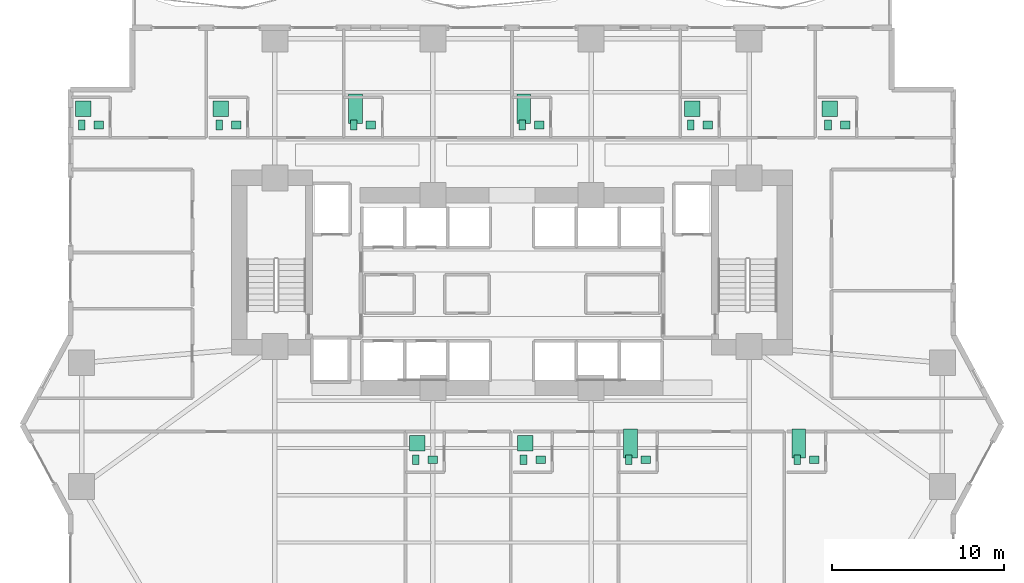
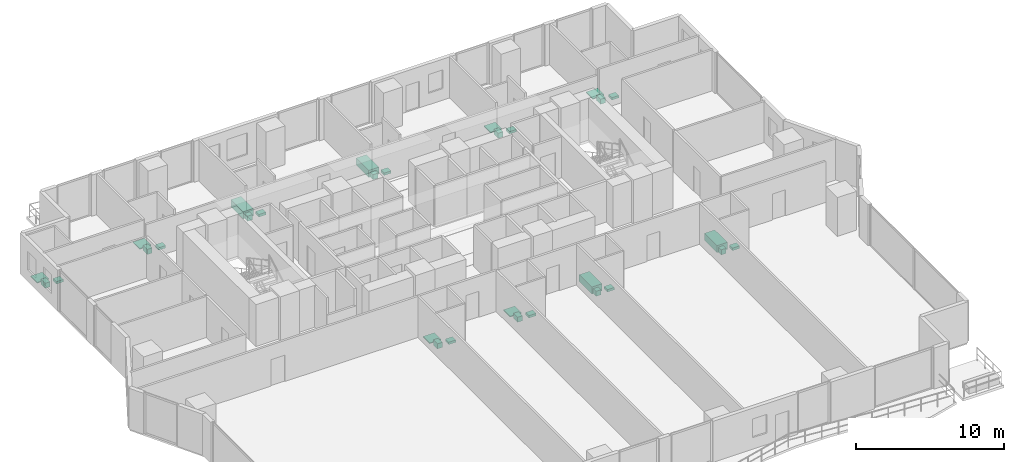
# One storey, part 30 of 30: 30 sanitary terminals.
"""IFC4 building model written with IfcOpenShell, lengths in metres."""

import ifcopenshell
import ifcopenshell.guid

model = None  # the IFC model being written
_history = None  # IfcOwnerHistory: only IFC2X3 demands one
_inside = {}  # id of a spatial element -> (the spatial element, [elements in it])
_under = {}  # id of a project, library or spatial element -> (it, [spatial elements below it])
_declared = {}  # id of a project -> (the project, [libraries it declares])
_typed = {}  # id of a type object -> (the type object, [elements of that type])
_made_of = {}  # id of a material, layer set ... -> (it, [elements and type objects made of it])


def new_model(schema):
    """Start an empty IFC model of exactly this schema.

    Asked for "IFC4X3", IfcOpenShell would pick the latest addendum, in which some entities
    have other attributes; the version numbers below select the first issue.
    IFC2X3 requires an IfcOwnerHistory on every rooted entity: one is made here for all.
    """
    global model, _history
    if schema == "IFC4X3":
        model = ifcopenshell.file(schema_version=(4, 3, 0, 0))
    else:
        model = ifcopenshell.file(schema=schema)
    _inside.clear()
    _under.clear()
    _declared.clear()
    _typed.clear()
    _made_of.clear()
    _history = None
    if model.schema == "IFC2X3":
        org = make("IfcOrganization", Name="unknown")
        user = make(
            "IfcPersonAndOrganization",
            ThePerson=make("IfcPerson", FamilyName="unknown"),
            TheOrganization=org,
        )
        app = make(
            "IfcApplication",
            ApplicationDeveloper=org,
            Version="unknown",
            ApplicationFullName="unknown",
            ApplicationIdentifier="unknown",
        )
        _history = make(
            "IfcOwnerHistory",
            OwningUser=user,
            OwningApplication=app,
            ChangeAction="ADDED",
            CreationDate=0,
        )
    return model


def make(cls, **values):
    """One entity of the class cls with the attributes given. An attribute that is None is left unset."""
    return model.create_entity(
        cls, **{name: value for name, value in values.items() if value is not None}
    )


def rooted(cls, **values):
    """An entity with a GlobalId (a new one), such as an element, a storey or a relation."""
    return make(cls, GlobalId=ifcopenshell.guid.new(), OwnerHistory=_history, **values)


def si_unit(unit_type, name, prefix=None):
    """IfcSIUnit, for example si_unit("LENGTHUNIT", "METRE", prefix="MILLI")."""
    return make("IfcSIUnit", UnitType=unit_type, Prefix=prefix, Name=name)


def assignment(units):
    """IfcUnitAssignment: the units of a project."""
    return None if units is None else make("IfcUnitAssignment", Units=units)


def point(xyz):
    """IfcCartesianPoint."""
    return None if xyz is None else make("IfcCartesianPoint", Coordinates=xyz)


def direction(xyz):
    """IfcDirection."""
    return None if xyz is None else make("IfcDirection", DirectionRatios=xyz)


def frame(location, z_axis=None, x_axis=None):
    """IfcAxis2Placement3D, a coordinate frame: its origin and axes. An axis left out is left unset."""
    return make(
        "IfcAxis2Placement3D",
        Location=point(location),
        Axis=direction(z_axis),
        RefDirection=direction(x_axis),
    )


def frame_2d(location, x_axis=None):
    """IfcAxis2Placement2D, a coordinate frame in the plane: its origin and x axis."""
    return make(
        "IfcAxis2Placement2D", Location=point(location), RefDirection=direction(x_axis)
    )


def origin():
    """The frame at (0, 0, 0) with its axes left unset."""
    return frame((0.0, 0.0, 0.0))


def origin_2d():
    """The frame at (0, 0) in the plane with its x axis left unset."""
    return frame_2d((0.0, 0.0))


def place(relative_to, where):
    """IfcLocalPlacement: puts the frame where relative to a parent placement (None: the world)."""
    return make(
        "IfcLocalPlacement", PlacementRelTo=relative_to, RelativePlacement=where
    )


def context(
    kind, dimensions, precision=None, world=None, true_north=None, identifier=None
):
    """IfcGeometricRepresentationContext, for example the 3D "Model" context."""
    return make(
        "IfcGeometricRepresentationContext",
        ContextIdentifier=identifier,
        ContextType=kind,
        CoordinateSpaceDimension=dimensions,
        Precision=precision,
        WorldCoordinateSystem=world,
        TrueNorth=true_north,
    )


def subcontext(parent, identifier, kind, view, scale=None):
    """IfcGeometricRepresentationSubContext, for example "Body" below "Model"."""
    return make(
        "IfcGeometricRepresentationSubContext",
        ContextIdentifier=identifier,
        ContextType=kind,
        ParentContext=parent,
        TargetScale=scale,
        TargetView=view,
    )


def project(units=None, contexts=None):
    """IfcProject with its units and contexts."""
    return rooted(
        "IfcProject",
        Name="project",
        RepresentationContexts=contexts,
        UnitsInContext=assignment(units),
    )


def spatial(cls, under=None, at=None, **own):
    """A site, building, storey or space (cls), placed at a placement, below another one or the project."""
    s = rooted(cls, ObjectPlacement=at, **own)
    if under is not None:
        _under.setdefault(under.id(), (under, []))[1].append(s)
    return s


def profile(cls, at=None, kind="AREA", **sizes):
    """A parametric profile (cls). Its sizes go by their IFC names, for example OverallWidth=200.0."""
    return make(cls, ProfileType=kind, Position=at, **sizes)


def rectangle(**sizes):
    """IfcRectangleProfileDef."""
    return profile("IfcRectangleProfileDef", **sizes)


def extrude(swept, where, along, depth):
    """IfcExtrudedAreaSolid: the profile swept, set in the frame where, extruded along a direction by depth."""
    return make(
        "IfcExtrudedAreaSolid",
        SweptArea=swept,
        Position=where,
        ExtrudedDirection=direction(along),
        Depth=depth,
    )


def shape(context_of_items, identifier, shape_type, items):
    """IfcShapeRepresentation: the items that make up one representation, for example the "Body"."""
    return make(
        "IfcShapeRepresentation",
        ContextOfItems=context_of_items,
        RepresentationIdentifier=identifier,
        RepresentationType=shape_type,
        Items=items,
    )


def material(Name=None, Category=None):
    """IfcMaterial."""
    return make("IfcMaterial", Name=Name, Category=Category)


def made_of(thing, what):
    """Note that an element or type object is made of a material, layer set ...; save() writes the relation."""
    if what is not None:
        _made_of.setdefault(what.id(), (what, []))[1].append(thing)
    return thing


def type_object(cls, material=None, **own):
    """A type object (cls), such as IfcWallType, which elements share."""
    return made_of(rooted(cls, **own), material)


def element(
    cls,
    number,
    at=None,
    inside=None,
    cuts=None,
    type_object=None,
    material=None,
    context=None,
    identifier="Body",
    shape_type=None,
    held_by="IfcProductDefinitionShape",
    body=None,
    shapes=None,
    **own,
):
    """One element of the class cls, such as IfcWall. Its Tag is "e" and its number.

    at: its placement. inside: the storey or other place that contains it. cuts: it is an
    opening in that element (IfcRelVoidsElement). A single representation is given by context,
    identifier, shape_type and body (its items); several are given by shapes. held_by: the class
    of the entity that holds the representations. save() writes the other relations.
    """
    e = rooted(cls, Tag="e%d" % number, ObjectPlacement=at, **own)
    if body is not None:
        shapes = [shape(context, identifier, shape_type, body)]
    if shapes is not None:
        e.Representation = make(held_by, Representations=shapes)
    if inside is not None:
        _inside.setdefault(inside.id(), (inside, []))[1].append(e)
    if cuts is not None:
        rooted(
            "IfcRelVoidsElement", RelatingBuildingElement=cuts, RelatedOpeningElement=e
        )
    if type_object is not None:
        _typed.setdefault(type_object.id(), (type_object, []))[1].append(e)
    return made_of(e, material)


def aggregate(whole, parts):
    """IfcRelAggregates: a whole, such as a stair, and the parts it consists of."""
    return rooted("IfcRelAggregates", RelatingObject=whole, RelatedObjects=parts)


def save(model, path):
    """Write the relations noted so far, then the file.

    IfcRelAggregates (storeys below a building ...), IfcRelContainedInSpatialStructure (elements
    in a storey), IfcRelDefinesByType, IfcRelAssociatesMaterial and IfcRelDeclares: one each for
    every whole, place, type object, material and project.
    """
    for whole, parts in _under.values():
        aggregate(whole, parts)
    for where, things in _inside.values():
        rooted(
            "IfcRelContainedInSpatialStructure",
            RelatedElements=things,
            RelatingStructure=where,
        )
    for kind, things in _typed.values():
        rooted("IfcRelDefinesByType", RelatedObjects=things, RelatingType=kind)
    for what, things in _made_of.values():
        rooted("IfcRelAssociatesMaterial", RelatedObjects=things, RelatingMaterial=what)
    for by, libraries in _declared.values():
        rooted("IfcRelDeclares", RelatingContext=by, RelatedDefinitions=libraries)
    model.write(path)


model = new_model("IFC4")

# Units and contexts
model_context = context("Model", 3, precision=1e-05, world=origin(), true_north=direction((0.0, 1.0)))
body_context = subcontext(model_context, "Body", "Model", "MODEL_VIEW")
ifc_project = project(units=[si_unit("LENGTHUNIT", "METRE"), si_unit("AREAUNIT", "SQUARE_METRE"), si_unit("VOLUMEUNIT", "CUBIC_METRE"), si_unit("PLANEANGLEUNIT", "RADIAN"), si_unit("MASSUNIT", "GRAM", prefix="KILO")], contexts=[model_context])

# Site, building, storey
site_placement = place(None, origin())
site = spatial("IfcSite", under=ifc_project, at=site_placement, CompositionType="ELEMENT")
building_placement = place(site_placement, origin())
building = spatial("IfcBuilding", under=site, at=building_placement, Name="Zuhayl Quay Hotel", CompositionType="ELEMENT")
storey_placement = place(building_placement, frame((0.0, 0.0, 86.0)))
storey = spatial("IfcBuildingStorey", under=building, at=storey_placement, Name="L21", CompositionType="ELEMENT", Elevation=86.0)

# Sanitary terminals
ifc_material = material(Name="Vitreous Porcelain Sanitaryware")
sanitary_terminal_type_1 = type_object("IfcSanitaryTerminalType", Name="SAN_BASIN", PredefinedType="WASHHANDBASIN", material=ifc_material)
for number, where, z_axis, x_axis, name in (
    (1, (-24.050048828125, 17.43994140625, 0.0), (0.0, 0.0, 1.0), (1.0, 0.0, 0.0), "L21 Sanitary Fixture WASHHANDBASIN"),
    (2, (-16.050048828125, 17.43994140625, 0.0), (0.0, 0.0, 1.0), (1.0, 0.0, 0.0), "L21 Sanitary Fixture WASHHANDBASIN"),
    (3, (-8.2099609375, 17.43994140625, 0.0), (0.0, 0.0, 1.0), (1.0, 0.0, 0.0), "L21 Sanitary Fixture WASHHANDBASIN"),
    (4, (1.590087890625, 17.43994140625, 0.0), (0.0, 0.0, 1.0), (1.0, 0.0, 0.0), "L21 Sanitary Fixture WASHHANDBASIN"),
    (5, (11.389892578125, 17.43994140625, 0.0), (0.0, 0.0, 1.0), (1.0, 0.0, 0.0), "L21 Sanitary Fixture WASHHANDBASIN"),
    (6, (19.389892578125, 17.43994140625, 0.0), (0.0, 0.0, 1.0), (1.0, 0.0, 0.0), "L21 Sanitary Fixture WASHHANDBASIN"),
    (7, (-4.610107421875, -2.0400390625, 0.0), (0.0, 0.0, 1.0), (1.0, 0.0, 0.0), "L21 Sanitary Fixture WASHHANDBASIN"),
    (8, (1.669921875, -2.0400390625, 0.0), (0.0, 0.0, 1.0), (1.0, 0.0, 0.0), "L21 Sanitary Fixture WASHHANDBASIN"),
    (9, (7.7900390625, -2.0400390625, 0.0), (0.0, 0.0, 1.0), (1.0, 0.0, 0.0), "L21 Sanitary Fixture WASHHANDBASIN"),
    (10, (17.590087890625, -2.0400390625, 0.0), (0.0, 0.0, 1.0), (1.0, 0.0, 0.0), "L21 Sanitary Fixture WASHHANDBASIN"),
):
    element("IfcSanitaryTerminal", number, at=place(storey_placement, frame(where, z_axis=z_axis, x_axis=x_axis)), inside=storey, type_object=sanitary_terminal_type_1, Name=name, PredefinedType="WASHHANDBASIN", context=body_context, shape_type="SweptSolid", body=[
        extrude(rectangle(XDim=0.550048828125, YDim=0.449951171875, at=origin_2d()), origin(), (0.0, 0.0, 1.0), 0.199951171875),
    ])
sanitary_terminal_type_2 = type_object("IfcSanitaryTerminalType", Name="SAN_BATH", PredefinedType="BATH", material=ifc_material)
for number, where, z_axis, x_axis, name in (
    (11, (-9.110107421875, 18.389892578125, 0.0), (0.0, 0.0, 1.0), (1.0, 0.0, 0.0), "L21 Sanitary Fixture BATH"),
    (12, (0.68994140625, 18.389892578125, 0.0), (0.0, 0.0, 1.0), (1.0, 0.0, 0.0), "L21 Sanitary Fixture BATH"),
    (13, (6.889892578125, -1.090087890625, 0.0), (0.0, 0.0, 1.0), (1.0, 0.0, 0.0), "L21 Sanitary Fixture BATH"),
    (14, (16.68994140625, -1.090087890625, 0.0), (0.0, 0.0, 1.0), (1.0, 0.0, 0.0), "L21 Sanitary Fixture BATH"),
):
    element("IfcSanitaryTerminal", number, at=place(storey_placement, frame(where, z_axis=z_axis, x_axis=x_axis)), inside=storey, type_object=sanitary_terminal_type_2, Name=name, PredefinedType="BATH", context=body_context, shape_type="SweptSolid", body=[
        extrude(rectangle(XDim=0.800048828125, YDim=1.699951171875, at=origin_2d()), origin(), (0.0, 0.0, 1.0), 0.580078125),
    ])
sanitary_terminal_type_3 = type_object("IfcSanitaryTerminalType", Name="SAN_SHOWER", PredefinedType="SHOWER", material=ifc_material)
for number, where, z_axis, x_axis, name in (
    (15, (-24.949951171875, 18.389892578125, 0.0), (0.0, 0.0, 1.0), (1.0, 0.0, 0.0), "L21 Sanitary Fixture SHOWER"),
    (16, (-16.949951171875, 18.389892578125, 0.0), (0.0, 0.0, 1.0), (1.0, 0.0, 0.0), "L21 Sanitary Fixture SHOWER"),
    (17, (10.489990234375, 18.389892578125, 0.0), (0.0, 0.0, 1.0), (1.0, 0.0, 0.0), "L21 Sanitary Fixture SHOWER"),
    (18, (18.489990234375, 18.389892578125, 0.0), (0.0, 0.0, 1.0), (1.0, 0.0, 0.0), "L21 Sanitary Fixture SHOWER"),
    (19, (-5.510009765625, -1.090087890625, 0.0), (0.0, 0.0, 1.0), (1.0, 0.0, 0.0), "L21 Sanitary Fixture SHOWER"),
    (20, (0.77001953125, -1.090087890625, 0.0), (0.0, 0.0, 1.0), (1.0, 0.0, 0.0), "L21 Sanitary Fixture SHOWER"),
):
    element("IfcSanitaryTerminal", number, at=place(storey_placement, frame(where, z_axis=z_axis, x_axis=x_axis)), inside=storey, type_object=sanitary_terminal_type_3, Name=name, PredefinedType="SHOWER", context=body_context, shape_type="SweptSolid", body=[
        extrude(rectangle(XDim=0.89990234375, YDim=0.89990234375, at=origin_2d()), origin(), (0.0, 0.0, 1.0), 0.080078125),
    ])
sanitary_terminal_type_4 = type_object("IfcSanitaryTerminalType", Name="SAN_WC", PredefinedType="TOILETPAN", material=ifc_material)
for number, where, z_axis, x_axis, name in (
    (21, (-25.050048828125, 17.43994140625, 0.0), (0.0, 0.0, 1.0), (1.0, 0.0, 0.0), "L21 Sanitary Fixture TOILETPAN"),
    (22, (-17.050048828125, 17.43994140625, 0.0), (0.0, 0.0, 1.0), (1.0, 0.0, 0.0), "L21 Sanitary Fixture TOILETPAN"),
    (23, (-9.2099609375, 17.43994140625, 0.0), (0.0, 0.0, 1.0), (1.0, 0.0, 0.0), "L21 Sanitary Fixture TOILETPAN"),
    (24, (0.590087890625, 17.43994140625, 0.0), (0.0, 0.0, 1.0), (1.0, 0.0, 0.0), "L21 Sanitary Fixture TOILETPAN"),
    (25, (10.389892578125, 17.43994140625, 0.0), (0.0, 0.0, 1.0), (1.0, 0.0, 0.0), "L21 Sanitary Fixture TOILETPAN"),
    (26, (18.389892578125, 17.43994140625, 0.0), (0.0, 0.0, 1.0), (1.0, 0.0, 0.0), "L21 Sanitary Fixture TOILETPAN"),
    (27, (-5.610107421875, -2.0400390625, 0.0), (0.0, 0.0, 1.0), (1.0, 0.0, 0.0), "L21 Sanitary Fixture TOILETPAN"),
    (28, (0.669921875, -2.0400390625, 0.0), (0.0, 0.0, 1.0), (1.0, 0.0, 0.0), "L21 Sanitary Fixture TOILETPAN"),
    (29, (6.7900390625, -2.0400390625, 0.0), (0.0, 0.0, 1.0), (1.0, 0.0, 0.0), "L21 Sanitary Fixture TOILETPAN"),
    (30, (16.590087890625, -2.0400390625, 0.0), (0.0, 0.0, 1.0), (1.0, 0.0, 0.0), "L21 Sanitary Fixture TOILETPAN"),
):
    element("IfcSanitaryTerminal", number, at=place(storey_placement, frame(where, z_axis=z_axis, x_axis=x_axis)), inside=storey, type_object=sanitary_terminal_type_4, Name=name, PredefinedType="TOILETPAN", context=body_context, shape_type="SweptSolid", body=[
        extrude(rectangle(XDim=0.3798828125, YDim=0.56005859375, at=origin_2d()), origin(), (0.0, 0.0, 1.0), 0.419921875),
    ])

save(model, "model.ifc")
